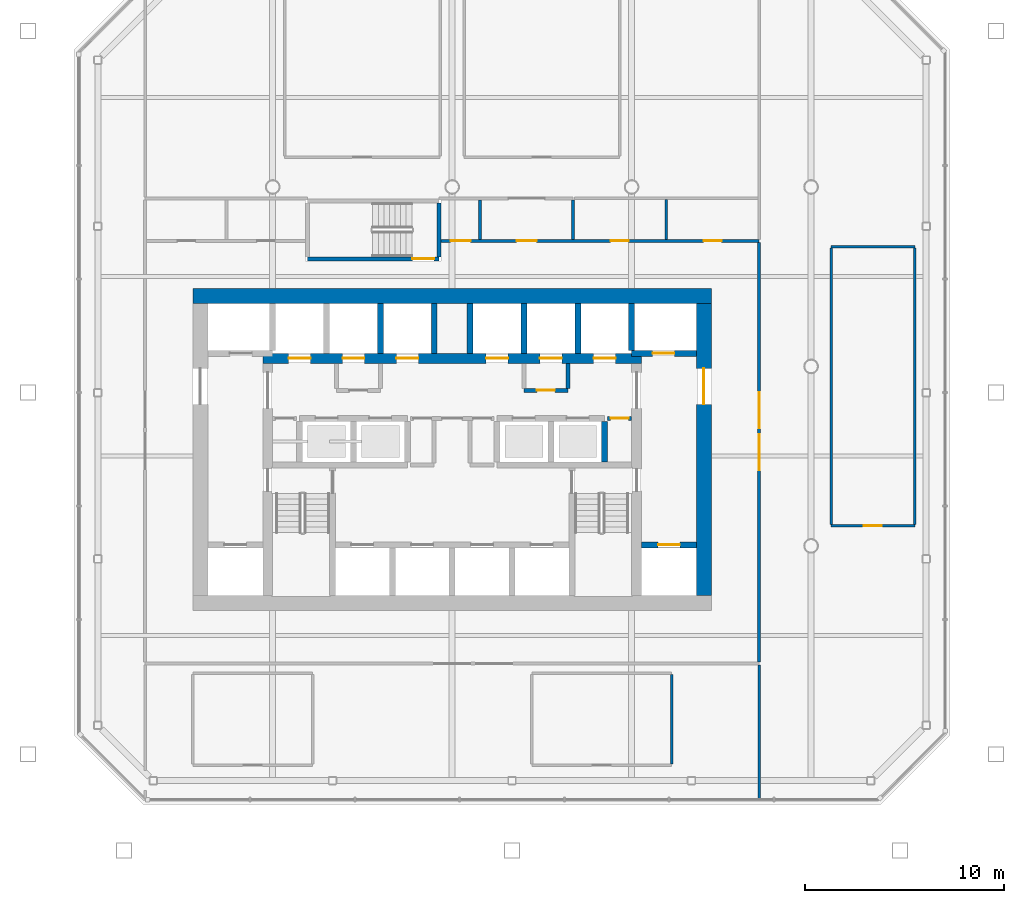
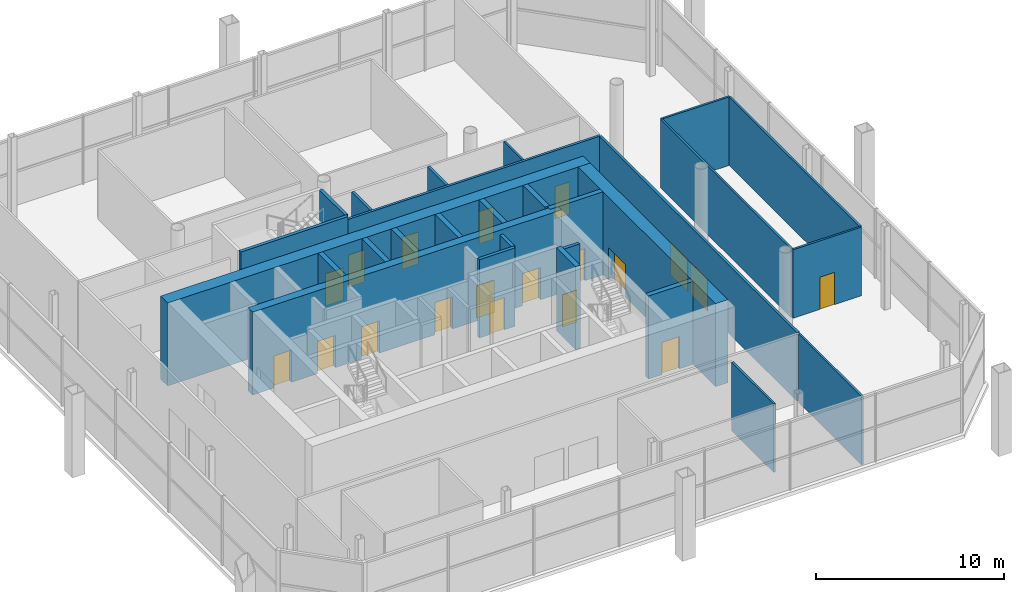
# One storey, part 9 of 12: 28 walls, 19 doors, 19 openings.
"""IFC4 building model written with IfcOpenShell, lengths in metres."""

from ifc_helpers import new_model, si_unit, direction, frame, frame_2d, origin, place, context, subcontext, project, spatial, rectangle, extrude, material, layer, layer_set, type_object, element, fill, save


model = new_model("IFC4")

# Units and contexts
model_context = context("Model", 3, precision=1e-05, world=origin(), true_north=direction((0.0, 1.0)))
body_context = subcontext(model_context, "Body", "Model", "MODEL_VIEW")
ifc_project = project(units=[si_unit("LENGTHUNIT", "METRE"), si_unit("AREAUNIT", "SQUARE_METRE"), si_unit("VOLUMEUNIT", "CUBIC_METRE"), si_unit("PLANEANGLEUNIT", "RADIAN"), si_unit("MASSUNIT", "GRAM", prefix="KILO")], contexts=[model_context])

# Site, building, storey
site_placement = place(None, origin())
site = spatial("IfcSite", under=ifc_project, at=site_placement, CompositionType="ELEMENT")
building_placement = place(site_placement, origin())
building = spatial("IfcBuilding", under=site, at=building_placement, Name="Tskaro Facet Tower", CompositionType="ELEMENT")
storey_placement = place(building_placement, frame((0.0, 0.0, 162.300048828125)))
storey = spatial("IfcBuildingStorey", under=building, at=storey_placement, Name="L40", CompositionType="ELEMENT", Elevation=162.300048828125)

# Wall, opening, door
ifc_material_1 = material(Name="Concrete C60/75", Category="concrete")
ifc_layer_1 = layer(ifc_material_1, 0.300048828125, Name="Concrete C60/75")
ifc_layer_set_1 = layer_set([ifc_layer_1], Name="Concrete C60/75")
wall_type_1 = type_object("IfcWallType", Name="CORE-SHAFT", PredefinedType="SHEAR", material=ifc_layer_set_1)
wall_1_placement = place(storey_placement, frame((9.5, -8.949951171875, 0.0), z_axis=(0.0, 0.0, 1.0), x_axis=(1.0, 0.0, 0.0)))
wall_1 = element("IfcWall", 1, at=wall_1_placement, inside=storey, type_object=wall_type_1, Name="Shaft wall W008", PredefinedType="SHEAR", context=body_context, shape_type="SweptSolid", body=[
    extrude(rectangle(XDim=2.75, YDim=0.300048828125, at=frame_2d((1.375, 0.0))), origin(), (0.0, 0.0, 1.0), 5.39990234375),
])
opening_1_placement = place(wall_1_placement, frame((0.824951171875, 0.0, 0.0)))
opening_1 = element("IfcOpeningElement", 2, at=opening_1_placement, cuts=wall_1, Name="Opening LD-SHES", PredefinedType="OPENING", context=body_context, shape_type="SweptSolid", body=[
    extrude(rectangle(XDim=1.10009765625, YDim=2.10009765625, at=frame_2d((0.550048828125, 1.050048828125))), frame((0.0, 0.159912109375, 0.0), z_axis=(0.0, -1.0, 0.0), x_axis=(1.0, 0.0, 0.0)), (0.0, 0.0, 1.0), 0.320068359375),
])
ifc_material_2 = material(Name="Stainless steel", Category="steel")
door_type_1 = type_object("IfcDoorType", Name="D-LANDING", OperationType="NOTDEFINED", PredefinedType="DOOR", material=ifc_material_2)
door_1_placement = place(opening_1_placement, origin())
door_1 = element("IfcDoor", 3, at=door_1_placement, inside=storey, type_object=door_type_1, Name="Landing door shuttle E1", OperationType="DOUBLE_DOOR_SLIDING", OverallHeight=2.10009765625, OverallWidth=1.10009765625, PredefinedType="DOOR", context=body_context, shape_type="SweptSolid", body=[
    extrude(rectangle(XDim=1.10009765625, YDim=2.10009765625, at=frame_2d((0.550048828125, 1.050048828125))), frame((0.0, 0.02490234375, 0.0), z_axis=(0.0, -1.0, 0.0), x_axis=(1.0, 0.0, 0.0)), (0.0, 0.0, 1.0), 0.050048828125),
])
fill(opening_1, door_1)

wall_2_placement = place(storey_placement, frame((12.25, 0.64990234375, 0.0), z_axis=(0.0, 0.0, 1.0), x_axis=(-1.0, 0.0, 0.0)))
wall_2 = element("IfcWall", 4, at=wall_2_placement, inside=storey, type_object=wall_type_1, Name="Shaft wall W022", PredefinedType="SHEAR", context=body_context, shape_type="SweptSolid", body=[
    extrude(rectangle(XDim=3.25, YDim=0.300048828125, at=frame_2d((1.625, 0.0))), origin(), (0.0, 0.0, 1.0), 5.39990234375),
])
opening_2_placement = place(wall_2_placement, frame((1.10009765625, 0.0, 0.0)))
opening_2 = element("IfcOpeningElement", 5, at=opening_2_placement, cuts=wall_2, Name="Opening LD-SHEN", PredefinedType="OPENING", context=body_context, shape_type="SweptSolid", body=[
    extrude(rectangle(XDim=1.10009765625, YDim=2.10009765625, at=frame_2d((0.550048828125, 1.050048828125))), frame((0.0, 0.159912109375, 0.0), z_axis=(0.0, -1.0, 0.0), x_axis=(1.0, 0.0, 0.0)), (0.0, 0.0, 1.0), 0.320068359375),
])
door_2_placement = place(opening_2_placement, origin())
door_2 = element("IfcDoor", 6, at=door_2_placement, inside=storey, type_object=door_type_1, Name="Landing door shuttle E2", OperationType="DOUBLE_DOOR_SLIDING", OverallHeight=2.10009765625, OverallWidth=1.10009765625, PredefinedType="DOOR", context=body_context, shape_type="SweptSolid", body=[
    extrude(rectangle(XDim=1.10009765625, YDim=2.10009765625, at=frame_2d((0.550048828125, 1.050048828125))), frame((0.0, 0.02490234375, 0.0), z_axis=(0.0, -1.0, 0.0), x_axis=(1.0, 0.0, 0.0)), (0.0, 0.0, 1.0), 0.050048828125),
])
fill(opening_2, door_2)

# Walls
for number, where, z_axis, x_axis, name in (
    (7, (-3.60009765625, 0.64990234375, 0.0), (0.0, 0.0, 1.0), (0.0, 1.0, 0.0), "Shaft wall W051"),
    (8, (-0.89990234375, 0.64990234375, 0.0), (0.0, 0.0, 1.0), (0.0, 1.0, 0.0), "Shaft wall W055"),
    (9, (0.89990234375, 0.64990234375, 0.0), (0.0, 0.0, 1.0), (0.0, 1.0, 0.0), "Shaft wall W061"),
    (10, (3.60009765625, 0.64990234375, 0.0), (0.0, 0.0, 1.0), (0.0, 1.0, 0.0), "Shaft wall W066"),
    (11, (6.300048828125, 0.64990234375, 0.0), (0.0, 0.0, 1.0), (0.0, 1.0, 0.0), "Shaft wall W072"),
):
    element("IfcWall", number, at=place(storey_placement, frame(where, z_axis=z_axis, x_axis=x_axis)), inside=storey, type_object=wall_type_1, Name=name, PredefinedType="SHEAR", context=body_context, shape_type="SweptSolid", body=[
        extrude(rectangle(XDim=2.5, YDim=0.300048828125, at=frame_2d((1.25, 0.0))), origin(), (0.0, 0.0, 1.0), 5.39990234375),
    ])
wall_3_placement = place(storey_placement, frame((7.64990234375, -4.800048828125, 0.0), z_axis=(0.0, 0.0, 1.0), x_axis=(0.0, 1.0, 0.0)))
element("IfcWall", 12, at=wall_3_placement, inside=storey, type_object=wall_type_1, Name="Shaft wall W073", PredefinedType="SHEAR", context=body_context, shape_type="SweptSolid", body=[
    extrude(rectangle(XDim=2.050048828125, YDim=0.300048828125, at=frame_2d((1.02490234375, 0.0))), origin(), (0.0, 0.0, 1.0), 5.39990234375),
])
wall_4_placement = place(storey_placement, frame((9.0, 0.800048828125, 0.0), z_axis=(0.0, 0.0, 1.0), x_axis=(0.0, 1.0, 0.0)))
element("IfcWall", 13, at=wall_4_placement, inside=storey, type_object=wall_type_1, Name="Shaft wall W075", PredefinedType="SHEAR", context=body_context, shape_type="SweptSolid", body=[
    extrude(rectangle(XDim=2.349853515625, YDim=0.300048828125, at=frame_2d((1.1748046875, 0.0))), origin(), (0.0, 0.0, 1.0), 5.39990234375),
])

# Wall, opening, door
ifc_material_3 = material(Name="Concrete C20/25", Category="concrete")
ifc_layer_2 = layer(ifc_material_3, 0.199951171875, Name="Concrete C20/25")
ifc_layer_set_2 = layer_set([ifc_layer_2], Name="Concrete C20/25")
wall_type_2 = type_object("IfcWallType", Name="CORE-WALL", PredefinedType="SOLIDWALL", material=ifc_layer_set_2)
wall_5_placement = place(storey_placement, frame((9.0, -2.60009765625, 0.0), z_axis=(0.0, 0.0, 1.0), x_axis=(-1.0, 0.0, 0.0)))
wall_5 = element("IfcWall", 14, at=wall_5_placement, inside=storey, type_object=wall_type_2, Name="Core room wall W018", PredefinedType="SOLIDWALL", context=body_context, shape_type="SweptSolid", body=[
    extrude(rectangle(XDim=1.199951171875, YDim=0.199951171875, at=frame_2d((0.60009765625, 0.0))), origin(), (0.0, 0.0, 1.0), 5.099853515625),
])
opening_3_placement = place(wall_5_placement, frame((0.14990234375, 0.0, 0.0)))
opening_3 = element("IfcOpeningElement", 15, at=opening_3_placement, cuts=wall_5, Name="Opening S40-D11", PredefinedType="OPENING", context=body_context, shape_type="SweptSolid", body=[
    extrude(rectangle(XDim=0.89990234375, YDim=2.10009765625, at=frame_2d((0.449951171875, 1.050048828125))), frame((0.0, 0.10986328125, 0.0), z_axis=(0.0, -1.0, 0.0), x_axis=(1.0, 0.0, 0.0)), (0.0, 0.0, 1.0), 0.219970703125),
])
ifc_material_4 = material(Name="Timber", Category="wood")
door_type_2 = type_object("IfcDoorType", Name="D-ROOM", OperationType="NOTDEFINED", PredefinedType="DOOR", material=ifc_material_4)
door_3_placement = place(opening_3_placement, origin())
door_3 = element("IfcDoor", 16, at=door_3_placement, inside=storey, type_object=door_type_2, Name="Door S40-D11", OperationType="SINGLE_SWING_RIGHT", OverallHeight=2.10009765625, OverallWidth=0.89990234375, PredefinedType="DOOR", context=body_context, shape_type="SweptSolid", body=[
    extrude(rectangle(XDim=0.89990234375, YDim=2.10009765625, at=frame_2d((0.449951171875, 1.050048828125))), frame((0.0, 0.02490234375, 0.0), z_axis=(0.0, -1.0, 0.0), x_axis=(1.0, 0.0, 0.0)), (0.0, 0.0, 1.0), 0.050048828125),
])
fill(opening_3, door_3)

wall_6_placement = place(storey_placement, frame((3.60009765625, -1.199951171875, 0.0), z_axis=(0.0, 0.0, 1.0), x_axis=(1.0, 0.0, 0.0)))
wall_6 = element("IfcWall", 17, at=wall_6_placement, inside=storey, type_object=wall_type_2, Name="Core room wall W020", PredefinedType="SOLIDWALL", context=body_context, shape_type="SweptSolid", body=[
    extrude(rectangle(XDim=2.199951171875, YDim=0.199951171875, at=frame_2d((1.10009765625, 0.0))), origin(), (0.0, 0.0, 1.0), 5.099853515625),
])
opening_4_placement = place(wall_6_placement, frame((0.64990234375, 0.0, 0.0)))
opening_4 = element("IfcOpeningElement", 18, at=opening_4_placement, cuts=wall_6, Name="Opening S40-D16", PredefinedType="OPENING", context=body_context, shape_type="SweptSolid", body=[
    extrude(rectangle(XDim=0.89990234375, YDim=2.10009765625, at=frame_2d((0.449951171875, 1.050048828125))), frame((0.0, 0.10986328125, 0.0), z_axis=(0.0, -1.0, 0.0), x_axis=(1.0, 0.0, 0.0)), (0.0, 0.0, 1.0), 0.219970703125),
])
door_4_placement = place(opening_4_placement, origin())
door_4 = element("IfcDoor", 19, at=door_4_placement, inside=storey, type_object=door_type_2, Name="Door S40-D16", OperationType="SINGLE_SWING_LEFT", OverallHeight=2.10009765625, OverallWidth=0.89990234375, PredefinedType="DOOR", context=body_context, shape_type="SweptSolid", body=[
    extrude(rectangle(XDim=0.89990234375, YDim=2.10009765625, at=frame_2d((0.449951171875, 1.050048828125))), frame((0.0, 0.02490234375, 0.0), z_axis=(0.0, -1.0, 0.0), x_axis=(1.0, 0.0, 0.0)), (0.0, 0.0, 1.0), 0.050048828125),
])
fill(opening_4, door_4)

# Wall
wall_7_placement = place(storey_placement, frame((5.800048828125, -1.10009765625, 0.0), z_axis=(0.0, 0.0, 1.0), x_axis=(0.0, 1.0, 0.0)))
element("IfcWall", 20, at=wall_7_placement, inside=storey, type_object=wall_type_2, Name="Core room wall W069", PredefinedType="SOLIDWALL", context=body_context, shape_type="SweptSolid", body=[
    extrude(rectangle(XDim=1.25, YDim=0.199951171875, at=frame_2d((0.625, 0.0))), origin(), (0.0, 0.0, 1.0), 5.099853515625),
])

# Wall, openings, doors
ifc_material_5 = material(Name="Concrete C40/50", Category="concrete")
ifc_layer_3 = layer(ifc_material_5, 0.5, Name="Concrete C40/50")
ifc_layer_set_3 = layer_set([ifc_layer_3], Name="Concrete C40/50")
wall_type_3 = type_object("IfcWallType", Name="Core wall 500", PredefinedType="SHEAR", material=ifc_layer_set_3)
wall_8_placement = place(storey_placement, frame((-9.5, 0.39990234375, 0.0), z_axis=(0.0, 0.0, 1.0), x_axis=(1.0, 0.0, 0.0)))
wall_8 = element("IfcWall", 21, at=wall_8_placement, inside=storey, type_object=wall_type_3, Name="Core wall CW-Z3N", PredefinedType="SHEAR", context=body_context, shape_type="SweptSolid", body=[
    extrude(rectangle(XDim=19.0, YDim=0.5, at=frame_2d((9.5, 0.0))), origin(), (0.0, 0.0, 1.0), 5.39990234375),
])
opening_5_placement = place(wall_8_placement, frame((1.300048828125, 0.0, 0.0)))
opening_5 = element("IfcOpeningElement", 22, at=opening_5_placement, cuts=wall_8, Name="Opening LD-MB1", PredefinedType="OPENING", context=body_context, shape_type="SweptSolid", body=[
    extrude(rectangle(XDim=1.10009765625, YDim=2.10009765625, at=frame_2d((0.550048828125, 1.050048828125))), frame((0.0, 0.260009765625, 0.0), z_axis=(0.0, -1.0, 0.0), x_axis=(1.0, 0.0, 0.0)), (0.0, 0.0, 1.0), 0.52001953125),
])
opening_6_placement = place(wall_8_placement, frame((4.0, 0.0, 0.0)))
opening_6 = element("IfcOpeningElement", 23, at=opening_6_placement, cuts=wall_8, Name="Opening LD-MB2", PredefinedType="OPENING", context=body_context, shape_type="SweptSolid", body=[
    extrude(rectangle(XDim=1.10009765625, YDim=2.10009765625, at=frame_2d((0.550048828125, 1.050048828125))), frame((0.0, 0.260009765625, 0.0), z_axis=(0.0, -1.0, 0.0), x_axis=(1.0, 0.0, 0.0)), (0.0, 0.0, 1.0), 0.52001953125),
])
opening_7_placement = place(wall_8_placement, frame((6.699951171875, 0.0, 0.0)))
opening_7 = element("IfcOpeningElement", 24, at=opening_7_placement, cuts=wall_8, Name="Opening LD-MB3", PredefinedType="OPENING", context=body_context, shape_type="SweptSolid", body=[
    extrude(rectangle(XDim=1.10009765625, YDim=2.10009765625, at=frame_2d((0.550048828125, 1.050048828125))), frame((0.0, 0.260009765625, 0.0), z_axis=(0.0, -1.0, 0.0), x_axis=(1.0, 0.0, 0.0)), (0.0, 0.0, 1.0), 0.52001953125),
])
opening_8_placement = place(wall_8_placement, frame((11.199951171875, 0.0, 0.0)))
opening_8 = element("IfcOpeningElement", 25, at=opening_8_placement, cuts=wall_8, Name="Opening LD-MB4", PredefinedType="OPENING", context=body_context, shape_type="SweptSolid", body=[
    extrude(rectangle(XDim=1.10009765625, YDim=2.10009765625, at=frame_2d((0.550048828125, 1.050048828125))), frame((0.0, 0.260009765625, 0.0), z_axis=(0.0, -1.0, 0.0), x_axis=(1.0, 0.0, 0.0)), (0.0, 0.0, 1.0), 0.52001953125),
])
opening_9_placement = place(wall_8_placement, frame((13.89990234375, 0.0, 0.0)))
opening_9 = element("IfcOpeningElement", 26, at=opening_9_placement, cuts=wall_8, Name="Opening LD-MB5", PredefinedType="OPENING", context=body_context, shape_type="SweptSolid", body=[
    extrude(rectangle(XDim=1.10009765625, YDim=2.10009765625, at=frame_2d((0.550048828125, 1.050048828125))), frame((0.0, 0.260009765625, 0.0), z_axis=(0.0, -1.0, 0.0), x_axis=(1.0, 0.0, 0.0)), (0.0, 0.0, 1.0), 0.52001953125),
])
opening_10_placement = place(wall_8_placement, frame((16.60009765625, 0.0, 0.0)))
opening_10 = element("IfcOpeningElement", 27, at=opening_10_placement, cuts=wall_8, Name="Opening LD-MB6", PredefinedType="OPENING", context=body_context, shape_type="SweptSolid", body=[
    extrude(rectangle(XDim=1.10009765625, YDim=2.10009765625, at=frame_2d((0.550048828125, 1.050048828125))), frame((0.0, 0.260009765625, 0.0), z_axis=(0.0, -1.0, 0.0), x_axis=(1.0, 0.0, 0.0)), (0.0, 0.0, 1.0), 0.52001953125),
])
door_5_placement = place(opening_5_placement, origin())
door_5 = element("IfcDoor", 28, at=door_5_placement, inside=storey, type_object=door_type_1, Name="Landing door MB1", OperationType="DOUBLE_DOOR_SLIDING", OverallHeight=2.10009765625, OverallWidth=1.10009765625, PredefinedType="DOOR", context=body_context, shape_type="SweptSolid", body=[
    extrude(rectangle(XDim=1.10009765625, YDim=2.10009765625, at=frame_2d((0.550048828125, 1.050048828125))), frame((0.0, 0.02490234375, 0.0), z_axis=(0.0, -1.0, 0.0), x_axis=(1.0, 0.0, 0.0)), (0.0, 0.0, 1.0), 0.050048828125),
])
fill(opening_5, door_5)
door_6_placement = place(opening_6_placement, origin())
door_6 = element("IfcDoor", 29, at=door_6_placement, inside=storey, type_object=door_type_1, Name="Landing door MB2", OperationType="DOUBLE_DOOR_SLIDING", OverallHeight=2.10009765625, OverallWidth=1.10009765625, PredefinedType="DOOR", context=body_context, shape_type="SweptSolid", body=[
    extrude(rectangle(XDim=1.10009765625, YDim=2.10009765625, at=frame_2d((0.550048828125, 1.050048828125))), frame((0.0, 0.02490234375, 0.0), z_axis=(0.0, -1.0, 0.0), x_axis=(1.0, 0.0, 0.0)), (0.0, 0.0, 1.0), 0.050048828125),
])
fill(opening_6, door_6)
door_7_placement = place(opening_7_placement, origin())
door_7 = element("IfcDoor", 30, at=door_7_placement, inside=storey, type_object=door_type_1, Name="Landing door MB3", OperationType="DOUBLE_DOOR_SLIDING", OverallHeight=2.10009765625, OverallWidth=1.10009765625, PredefinedType="DOOR", context=body_context, shape_type="SweptSolid", body=[
    extrude(rectangle(XDim=1.10009765625, YDim=2.10009765625, at=frame_2d((0.550048828125, 1.050048828125))), frame((0.0, 0.02490234375, 0.0), z_axis=(0.0, -1.0, 0.0), x_axis=(1.0, 0.0, 0.0)), (0.0, 0.0, 1.0), 0.050048828125),
])
fill(opening_7, door_7)
door_8_placement = place(opening_8_placement, origin())
door_8 = element("IfcDoor", 31, at=door_8_placement, inside=storey, type_object=door_type_1, Name="Landing door MB4", OperationType="DOUBLE_DOOR_SLIDING", OverallHeight=2.10009765625, OverallWidth=1.10009765625, PredefinedType="DOOR", context=body_context, shape_type="SweptSolid", body=[
    extrude(rectangle(XDim=1.10009765625, YDim=2.10009765625, at=frame_2d((0.550048828125, 1.050048828125))), frame((0.0, 0.02490234375, 0.0), z_axis=(0.0, -1.0, 0.0), x_axis=(1.0, 0.0, 0.0)), (0.0, 0.0, 1.0), 0.050048828125),
])
fill(opening_8, door_8)
door_9_placement = place(opening_9_placement, origin())
door_9 = element("IfcDoor", 32, at=door_9_placement, inside=storey, type_object=door_type_1, Name="Landing door MB5", OperationType="DOUBLE_DOOR_SLIDING", OverallHeight=2.10009765625, OverallWidth=1.10009765625, PredefinedType="DOOR", context=body_context, shape_type="SweptSolid", body=[
    extrude(rectangle(XDim=1.10009765625, YDim=2.10009765625, at=frame_2d((0.550048828125, 1.050048828125))), frame((0.0, 0.02490234375, 0.0), z_axis=(0.0, -1.0, 0.0), x_axis=(1.0, 0.0, 0.0)), (0.0, 0.0, 1.0), 0.050048828125),
])
fill(opening_9, door_9)
door_10_placement = place(opening_10_placement, origin())
door_10 = element("IfcDoor", 33, at=door_10_placement, inside=storey, type_object=door_type_1, Name="Landing door MB6", OperationType="DOUBLE_DOOR_SLIDING", OverallHeight=2.10009765625, OverallWidth=1.10009765625, PredefinedType="DOOR", context=body_context, shape_type="SweptSolid", body=[
    extrude(rectangle(XDim=1.10009765625, YDim=2.10009765625, at=frame_2d((0.550048828125, 1.050048828125))), frame((0.0, 0.02490234375, 0.0), z_axis=(0.0, -1.0, 0.0), x_axis=(1.0, 0.0, 0.0)), (0.0, 0.0, 1.0), 0.050048828125),
])
fill(opening_10, door_10)

# Wall
ifc_material_6 = material(Name="Concrete C50/60", Category="concrete")
ifc_layer_4 = layer(ifc_material_6, 0.75, Name="Concrete C50/60")
ifc_layer_set_4 = layer_set([ifc_layer_4], Name="Concrete C50/60")
wall_type_4 = type_object("IfcWallType", Name="Core wall 750", PredefinedType="SHEAR", material=ifc_layer_set_4)
wall_9_placement = place(storey_placement, frame((-13.0, 3.52490234375, 0.0), z_axis=(0.0, 0.0, 1.0), x_axis=(1.0, 0.0, 0.0)))
element("IfcWall", 34, at=wall_9_placement, inside=storey, type_object=wall_type_4, Name="Core wall CW-Z2N", PredefinedType="SHEAR", context=body_context, shape_type="SweptSolid", body=[
    extrude(rectangle(XDim=26.0, YDim=0.75, at=frame_2d((13.0, 0.0))), origin(), (0.0, 0.0, 1.0), 5.39990234375),
])

# Wall, opening, door
wall_10_placement = place(storey_placement, frame((12.625, -11.5, 0.0), z_axis=(0.0, 0.0, 1.0), x_axis=(0.0, 1.0, 0.0)))
wall_10 = element("IfcWall", 35, at=wall_10_placement, inside=storey, type_object=wall_type_4, Name="Core wall CW-Z2E", PredefinedType="SHEAR", context=body_context, shape_type="SweptSolid", body=[
    extrude(rectangle(XDim=14.64990234375, YDim=0.75, at=frame_2d((7.324951171875, 0.0))), origin(), (0.0, 0.0, 1.0), 5.39990234375),
])
opening_11_placement = place(wall_10_placement, frame((9.60009765625, 0.0, 0.0)))
opening_11 = element("IfcOpeningElement", 36, at=opening_11_placement, cuts=wall_10, Name="Opening S40-D19", PredefinedType="OPENING", context=body_context, shape_type="SweptSolid", body=[
    extrude(rectangle(XDim=1.800048828125, YDim=2.10009765625, at=frame_2d((0.89990234375, 1.050048828125))), frame((0.0, 0.385009765625, 0.0), z_axis=(0.0, -1.0, 0.0), x_axis=(1.0, 0.0, 0.0)), (0.0, 0.0, 1.0), 0.77001953125),
])
ifc_material_7 = material(Name="Steel", Category="steel")
door_type_3 = type_object("IfcDoorType", Name="D-CORE-PAIR", OperationType="NOTDEFINED", PredefinedType="DOOR", material=ifc_material_7)
door_11_placement = place(opening_11_placement, origin())
door_11 = element("IfcDoor", 37, at=door_11_placement, inside=storey, type_object=door_type_3, Name="Door S40-D19", OperationType="DOUBLE_DOOR_SINGLE_SWING", OverallHeight=2.10009765625, OverallWidth=1.800048828125, PredefinedType="DOOR", context=body_context, shape_type="SweptSolid", body=[
    extrude(rectangle(XDim=1.800048828125, YDim=2.10009765625, at=frame_2d((0.89990234375, 1.050048828125))), frame((0.0, 0.02490234375, 0.0), z_axis=(0.0, -1.0, 0.0), x_axis=(1.0, 0.0, 0.0)), (0.0, 0.0, 1.0), 0.050048828125),
])
fill(opening_11, door_11)

ifc_material_8 = material(Name="Gypsum board on steel studs", Category="steel")
ifc_layer_5 = layer(ifc_material_8, 0.125, Name="Gypsum board on steel studs")
ifc_layer_set_5 = layer_set([ifc_layer_5], Name="Gypsum board on steel studs")
wall_type_5 = type_object("IfcWallType", Name="PART", PredefinedType="PARTITIONING", material=ifc_layer_set_5)
wall_11_placement = place(storey_placement, frame((19.0, -8.0, 0.0), z_axis=(0.0, 0.0, 1.0), x_axis=(1.0, 0.0, 0.0)))
wall_11 = element("IfcWall", 38, at=wall_11_placement, inside=storey, type_object=wall_type_5, Name="Partition W009", PredefinedType="PARTITIONING", context=body_context, shape_type="SweptSolid", body=[
    extrude(rectangle(XDim=4.199951171875, YDim=0.125, at=frame_2d((2.10009765625, 0.0))), origin(), (0.0, 0.0, 1.0), 4.4599609375),
])
opening_12_placement = place(wall_11_placement, frame((1.64990234375, 0.0, 0.0)))
opening_12 = element("IfcOpeningElement", 39, at=opening_12_placement, cuts=wall_11, Name="Opening S40-D05", PredefinedType="OPENING", context=body_context, shape_type="SweptSolid", body=[
    extrude(rectangle(XDim=0.89990234375, YDim=2.10009765625, at=frame_2d((0.449951171875, 1.050048828125))), frame((0.0, 0.072509765625, 0.0), z_axis=(0.0, -1.0, 0.0), x_axis=(1.0, 0.0, 0.0)), (0.0, 0.0, 1.0), 0.14501953125),
])
door_12_placement = place(opening_12_placement, origin())
door_12 = element("IfcDoor", 40, at=door_12_placement, inside=storey, type_object=door_type_2, Name="Door S40-D05", OperationType="SINGLE_SWING_LEFT", OverallHeight=2.10009765625, OverallWidth=0.89990234375, PredefinedType="DOOR", context=body_context, shape_type="SweptSolid", body=[
    extrude(rectangle(XDim=0.89990234375, YDim=2.10009765625, at=frame_2d((0.449951171875, 1.050048828125))), frame((0.0, 0.02490234375, 0.0), z_axis=(0.0, -1.0, 0.0), x_axis=(1.0, 0.0, 0.0)), (0.0, 0.0, 1.0), 0.050048828125),
])
fill(opening_12, door_12)

# Walls
wall_12_placement = place(storey_placement, frame((19.0, 6.0, 0.0), z_axis=(0.0, 0.0, 1.0), x_axis=(1.0, 0.0, 0.0)))
element("IfcWall", 41, at=wall_12_placement, inside=storey, type_object=wall_type_5, Name="Partition W024", PredefinedType="PARTITIONING", context=body_context, shape_type="SweptSolid", body=[
    extrude(rectangle(XDim=4.199951171875, YDim=0.125, at=frame_2d((2.10009765625, 0.0))), origin(), (0.0, 0.0, 1.0), 4.4599609375),
])
wall_13_placement = place(storey_placement, frame((10.73291015625, 6.375, 0.0), z_axis=(0.0, 0.0, 1.0), x_axis=(0.0, 1.0, 0.0)))
element("IfcWall", 42, at=wall_13_placement, inside=storey, type_object=wall_type_5, Name="Partition W076", PredefinedType="PARTITIONING", context=body_context, shape_type="SweptSolid", body=[
    extrude(rectangle(XDim=1.987548828125, YDim=0.125, at=frame_2d((0.99365234375, 0.0))), origin(), (0.0, 0.0, 1.0), 4.4599609375),
])
wall_14_placement = place(storey_placement, frame((11.0, -19.9375, 0.0), z_axis=(0.0, 0.0, 1.0), x_axis=(0.0, 1.0, 0.0)))
element("IfcWall", 43, at=wall_14_placement, inside=storey, type_object=wall_type_5, Name="Partition W077", PredefinedType="PARTITIONING", context=body_context, shape_type="SweptSolid", body=[
    extrude(rectangle(XDim=4.47509765625, YDim=0.125, at=frame_2d((2.237548828125, 0.0))), origin(), (0.0, 0.0, 1.0), 4.4599609375),
])
wall_15_placement = place(storey_placement, frame((15.39990234375, -21.674072265625, 0.0), z_axis=(0.0, 0.0, 1.0), x_axis=(0.0, 1.0, 0.0)))
element("IfcWall", 44, at=wall_15_placement, inside=storey, type_object=wall_type_5, Name="Partition W078", PredefinedType="PARTITIONING", context=body_context, shape_type="SweptSolid", body=[
    extrude(rectangle(XDim=6.698974609375, YDim=0.125, at=frame_2d((3.349609375, 0.0))), origin(), (0.0, 0.0, 1.0), 4.4599609375),
])
for number, where, z_axis, x_axis, name in (
    (45, (19.0, -7.9375, 0.0), (0.0, 0.0, 1.0), (0.0, 1.0, 0.0), "Partition W081"),
    (46, (23.199951171875, -7.9375, 0.0), (0.0, 0.0, 1.0), (0.0, 1.0, 0.0), "Partition W082"),
):
    element("IfcWall", number, at=place(storey_placement, frame(where, z_axis=z_axis, x_axis=x_axis)), inside=storey, type_object=wall_type_5, Name=name, PredefinedType="PARTITIONING", context=body_context, shape_type="SweptSolid", body=[
        extrude(rectangle(XDim=13.875, YDim=0.125, at=frame_2d((6.9375, 0.0))), origin(), (0.0, 0.0, 1.0), 4.4599609375),
    ])

# Wall, openings, doors
ifc_layer_6 = layer(ifc_material_8, 0.14990234375, Name="Gypsum board on steel studs")
ifc_layer_set_6 = layer_set([ifc_layer_6], Name="Gypsum board on steel studs")
wall_type_6 = type_object("IfcWallType", Name="PART-CORR", PredefinedType="PARTITIONING", material=ifc_layer_set_6)
wall_16_placement = place(storey_placement, frame((15.39990234375, 6.300048828125, 0.0), z_axis=(0.0, 0.0, 1.0), x_axis=(-1.0, 0.0, 0.0)))
wall_16 = element("IfcWall", 47, at=wall_16_placement, inside=storey, type_object=wall_type_6, Name="Corridor wall W026", PredefinedType="PARTITIONING", context=body_context, shape_type="SweptSolid", body=[
    extrude(rectangle(XDim=15.949951171875, YDim=0.14990234375, at=frame_2d((7.97509765625, 0.0))), origin(), (0.0, 0.0, 1.0), 4.4599609375),
])
opening_13_placement = place(wall_16_placement, frame((11.16650390625, 0.0, 0.0)))
opening_13 = element("IfcOpeningElement", 48, at=opening_13_placement, cuts=wall_16, Name="Opening S40-D23", PredefinedType="OPENING", context=body_context, shape_type="SweptSolid", body=[
    extrude(rectangle(XDim=1.0, YDim=2.10009765625, at=frame_2d((0.5, 1.050048828125))), frame((0.0, 0.0849609375, 0.0), z_axis=(0.0, -1.0, 0.0), x_axis=(1.0, 0.0, 0.0)), (0.0, 0.0, 1.0), 0.169921875),
])
opening_14_placement = place(wall_16_placement, frame((14.47509765625, 0.0, 0.0)))
opening_14 = element("IfcOpeningElement", 49, at=opening_14_placement, cuts=wall_16, Name="Opening S40-D22", PredefinedType="OPENING", context=body_context, shape_type="SweptSolid", body=[
    extrude(rectangle(XDim=1.0, YDim=2.10009765625, at=frame_2d((0.5, 1.050048828125))), frame((0.0, 0.0849609375, 0.0), z_axis=(0.0, -1.0, 0.0), x_axis=(1.0, 0.0, 0.0)), (0.0, 0.0, 1.0), 0.169921875),
])
opening_15_placement = place(wall_16_placement, frame((6.550048828125, 0.0, 0.0)))
opening_15 = element("IfcOpeningElement", 50, at=opening_15_placement, cuts=wall_16, Name="Opening S40-D24", PredefinedType="OPENING", context=body_context, shape_type="SweptSolid", body=[
    extrude(rectangle(XDim=0.89990234375, YDim=2.10009765625, at=frame_2d((0.449951171875, 1.050048828125))), frame((0.0, 0.0849609375, 0.0), z_axis=(0.0, -1.0, 0.0), x_axis=(1.0, 0.0, 0.0)), (0.0, 0.0, 1.0), 0.169921875),
])
opening_16_placement = place(wall_16_placement, frame((1.883544921875, 0.0, 0.0)))
opening_16 = element("IfcOpeningElement", 51, at=opening_16_placement, cuts=wall_16, Name="Opening S40-D25", PredefinedType="OPENING", context=body_context, shape_type="SweptSolid", body=[
    extrude(rectangle(XDim=0.89990234375, YDim=2.10009765625, at=frame_2d((0.449951171875, 1.050048828125))), frame((0.0, 0.0849609375, 0.0), z_axis=(0.0, -1.0, 0.0), x_axis=(1.0, 0.0, 0.0)), (0.0, 0.0, 1.0), 0.169921875),
])
door_type_4 = type_object("IfcDoorType", Name="D-ENTRY", OperationType="NOTDEFINED", PredefinedType="DOOR", material=ifc_material_4)
door_13_placement = place(opening_13_placement, origin())
door_13 = element("IfcDoor", 52, at=door_13_placement, inside=storey, type_object=door_type_4, Name="Door S40-D23", OperationType="SINGLE_SWING_RIGHT", OverallHeight=2.10009765625, OverallWidth=1.0, PredefinedType="DOOR", context=body_context, shape_type="SweptSolid", body=[
    extrude(rectangle(XDim=1.0, YDim=2.10009765625, at=frame_2d((0.5, 1.050048828125))), frame((0.0, 0.02490234375, 0.0), z_axis=(0.0, -1.0, 0.0), x_axis=(1.0, 0.0, 0.0)), (0.0, 0.0, 1.0), 0.050048828125),
])
fill(opening_13, door_13)
door_14_placement = place(opening_15_placement, origin())
door_14 = element("IfcDoor", 53, at=door_14_placement, inside=storey, type_object=door_type_2, Name="Door S40-D24", OperationType="SINGLE_SWING_RIGHT", OverallHeight=2.10009765625, OverallWidth=0.89990234375, PredefinedType="DOOR", context=body_context, shape_type="SweptSolid", body=[
    extrude(rectangle(XDim=0.89990234375, YDim=2.10009765625, at=frame_2d((0.449951171875, 1.050048828125))), frame((0.0, 0.02490234375, 0.0), z_axis=(0.0, -1.0, 0.0), x_axis=(1.0, 0.0, 0.0)), (0.0, 0.0, 1.0), 0.050048828125),
])
fill(opening_15, door_14)
door_15_placement = place(opening_16_placement, origin())
door_15 = element("IfcDoor", 54, at=door_15_placement, inside=storey, type_object=door_type_2, Name="Door S40-D25", OperationType="SINGLE_SWING_RIGHT", OverallHeight=2.10009765625, OverallWidth=0.89990234375, PredefinedType="DOOR", context=body_context, shape_type="SweptSolid", body=[
    extrude(rectangle(XDim=0.89990234375, YDim=2.10009765625, at=frame_2d((0.449951171875, 1.050048828125))), frame((0.0, 0.02490234375, 0.0), z_axis=(0.0, -1.0, 0.0), x_axis=(1.0, 0.0, 0.0)), (0.0, 0.0, 1.0), 0.050048828125),
])
fill(opening_16, door_15)
door_type_5 = type_object("IfcDoorType", Name="D-ROOM-WIDE", OperationType="NOTDEFINED", PredefinedType="DOOR", material=ifc_material_4)
door_16_placement = place(opening_14_placement, origin())
door_16 = element("IfcDoor", 55, at=door_16_placement, inside=storey, type_object=door_type_5, Name="Door S40-D22", OperationType="SINGLE_SWING_RIGHT", OverallHeight=2.10009765625, OverallWidth=1.0, PredefinedType="DOOR", context=body_context, shape_type="SweptSolid", body=[
    extrude(rectangle(XDim=1.0, YDim=2.10009765625, at=frame_2d((0.5, 1.050048828125))), frame((0.0, 0.02490234375, 0.0), z_axis=(0.0, -1.0, 0.0), x_axis=(1.0, 0.0, 0.0)), (0.0, 0.0, 1.0), 0.050048828125),
])
fill(opening_14, door_16)

# Walls
for number, where, z_axis, x_axis, name in (
    (56, (1.39990234375, 6.375, 0.0), (0.0, 0.0, 1.0), (0.0, 1.0, 0.0), "Corridor wall W062"),
    (57, (6.06689453125, 6.375, 0.0), (0.0, 0.0, 1.0), (0.0, 1.0, 0.0), "Corridor wall W071"),
):
    element("IfcWall", number, at=place(storey_placement, frame(where, z_axis=z_axis, x_axis=x_axis)), inside=storey, type_object=wall_type_6, Name=name, PredefinedType="PARTITIONING", context=body_context, shape_type="SweptSolid", body=[
        extrude(rectangle(XDim=1.97509765625, YDim=0.14990234375, at=frame_2d((0.987548828125, 0.0))), origin(), (0.0, 0.0, 1.0), 4.4599609375),
    ])

# Wall, openings, doors
wall_17_placement = place(storey_placement, frame((15.39990234375, -14.824951171875, 0.0), z_axis=(0.0, 0.0, 1.0), x_axis=(0.0, 1.0, 0.0)))
wall_17 = element("IfcWall", 58, at=wall_17_placement, inside=storey, type_object=wall_type_6, Name="Corridor wall W079", PredefinedType="PARTITIONING", context=body_context, shape_type="SweptSolid", body=[
    extrude(rectangle(XDim=21.050048828125, YDim=0.14990234375, at=frame_2d((10.52490234375, 0.0))), origin(), (0.0, 0.0, 1.0), 4.4599609375),
])
opening_17_placement = place(wall_17_placement, frame((9.625, 0.0, 0.0)))
opening_17 = element("IfcOpeningElement", 59, at=opening_17_placement, cuts=wall_17, Name="Opening S40-D06", PredefinedType="OPENING", context=body_context, shape_type="SweptSolid", body=[
    extrude(rectangle(XDim=1.800048828125, YDim=2.10009765625, at=frame_2d((0.89990234375, 1.050048828125))), frame((0.0, 0.0849609375, 0.0), z_axis=(0.0, -1.0, 0.0), x_axis=(1.0, 0.0, 0.0)), (0.0, 0.0, 1.0), 0.169921875),
])
opening_18_placement = place(wall_17_placement, frame((11.72509765625, 0.0, 0.0)))
opening_18 = element("IfcOpeningElement", 60, at=opening_18_placement, cuts=wall_17, Name="Opening S40-D12", PredefinedType="OPENING", context=body_context, shape_type="SweptSolid", body=[
    extrude(rectangle(XDim=1.800048828125, YDim=2.10009765625, at=frame_2d((0.89990234375, 1.050048828125))), frame((0.0, 0.0849609375, 0.0), z_axis=(0.0, -1.0, 0.0), x_axis=(1.0, 0.0, 0.0)), (0.0, 0.0, 1.0), 0.169921875),
])
ifc_material_9 = material(Name="Glass", Category="glass")
door_type_6 = type_object("IfcDoorType", Name="D-ENTRY-PAIR", OperationType="NOTDEFINED", PredefinedType="DOOR", material=ifc_material_9)
door_17_placement = place(opening_17_placement, origin())
door_17 = element("IfcDoor", 61, at=door_17_placement, inside=storey, type_object=door_type_6, Name="Door S40-D06", OperationType="DOUBLE_DOOR_SINGLE_SWING", OverallHeight=2.10009765625, OverallWidth=1.800048828125, PredefinedType="DOOR", context=body_context, shape_type="SweptSolid", body=[
    extrude(rectangle(XDim=1.800048828125, YDim=2.10009765625, at=frame_2d((0.89990234375, 1.050048828125))), frame((0.0, 0.02490234375, 0.0), z_axis=(0.0, -1.0, 0.0), x_axis=(1.0, 0.0, 0.0)), (0.0, 0.0, 1.0), 0.050048828125),
])
fill(opening_17, door_17)
door_18_placement = place(opening_18_placement, origin())
door_18 = element("IfcDoor", 62, at=door_18_placement, inside=storey, type_object=door_type_6, Name="Door S40-D12", OperationType="DOUBLE_DOOR_SINGLE_SWING", OverallHeight=2.10009765625, OverallWidth=1.800048828125, PredefinedType="DOOR", context=body_context, shape_type="SweptSolid", body=[
    extrude(rectangle(XDim=1.800048828125, YDim=2.10009765625, at=frame_2d((0.89990234375, 1.050048828125))), frame((0.0, 0.02490234375, 0.0), z_axis=(0.0, -1.0, 0.0), x_axis=(1.0, 0.0, 0.0)), (0.0, 0.0, 1.0), 0.050048828125),
])
fill(opening_18, door_18)

# Wall, opening, door
ifc_layer_7 = layer(ifc_material_1, 0.199951171875, Name="Concrete C60/75")
ifc_layer_set_7 = layer_set([ifc_layer_7], Name="Concrete C60/75")
wall_type_7 = type_object("IfcWallType", Name="STAIR-WALL", PredefinedType="SHEAR", material=ifc_layer_set_7)
wall_18_placement = place(storey_placement, frame((-7.25, 5.39990234375, 0.0), z_axis=(0.0, 0.0, 1.0), x_axis=(1.0, 0.0, 0.0)))
wall_18 = element("IfcWall", 63, at=wall_18_placement, inside=storey, type_object=wall_type_7, Name="Stair wall W023", PredefinedType="SHEAR", context=body_context, shape_type="SweptSolid", body=[
    extrude(rectangle(XDim=6.60009765625, YDim=0.199951171875, at=frame_2d((3.300048828125, 0.0))), origin(), (0.0, 0.0, 1.0), 5.39990234375),
])
opening_19_placement = place(wall_18_placement, frame((5.25, 0.0, 0.0)))
opening_19 = element("IfcOpeningElement", 64, at=opening_19_placement, cuts=wall_18, Name="Opening ST-3-D1", PredefinedType="OPENING", context=body_context, shape_type="SweptSolid", body=[
    extrude(rectangle(XDim=1.10009765625, YDim=2.10009765625, at=frame_2d((0.550048828125, 1.050048828125))), frame((0.0, 0.10986328125, 0.0), z_axis=(0.0, -1.0, 0.0), x_axis=(1.0, 0.0, 0.0)), (0.0, 0.0, 1.0), 0.219970703125),
])
door_type_7 = type_object("IfcDoorType", Name="D-STAIR", OperationType="NOTDEFINED", PredefinedType="DOOR", material=ifc_material_7)
door_19_placement = place(opening_19_placement, origin())
door_19 = element("IfcDoor", 65, at=door_19_placement, inside=storey, type_object=door_type_7, Name="Stair door 3", OperationType="SINGLE_SWING_LEFT", OverallHeight=2.10009765625, OverallWidth=1.10009765625, PredefinedType="DOOR", context=body_context, shape_type="SweptSolid", body=[
    extrude(rectangle(XDim=1.10009765625, YDim=2.10009765625, at=frame_2d((0.550048828125, 1.050048828125))), frame((0.0, 0.02490234375, 0.0), z_axis=(0.0, -1.0, 0.0), x_axis=(1.0, 0.0, 0.0)), (0.0, 0.0, 1.0), 0.050048828125),
])
fill(opening_19, door_19)

# Wall
wall_19_placement = place(storey_placement, frame((-0.64990234375, 5.5, 0.0), z_axis=(0.0, 0.0, 1.0), x_axis=(0.0, 1.0, 0.0)))
element("IfcWall", 66, at=wall_19_placement, inside=storey, type_object=wall_type_7, Name="Stair wall W056", PredefinedType="SHEAR", context=body_context, shape_type="SweptSolid", body=[
    extrude(rectangle(XDim=2.699951171875, YDim=0.199951171875, at=frame_2d((1.35009765625, 0.0))), origin(), (0.0, 0.0, 1.0), 5.39990234375),
])

save(model, "model.ifc")
